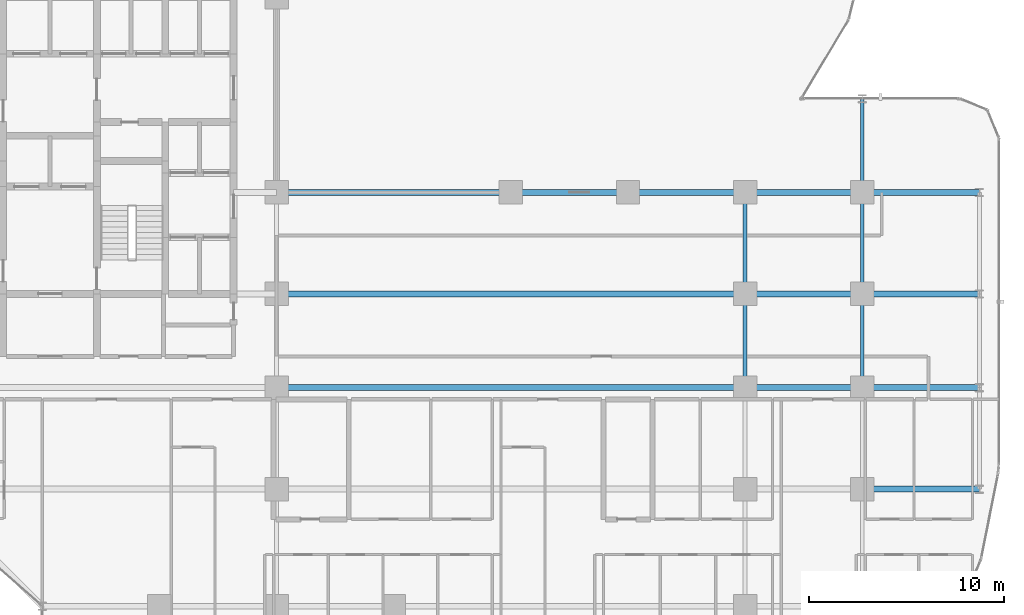
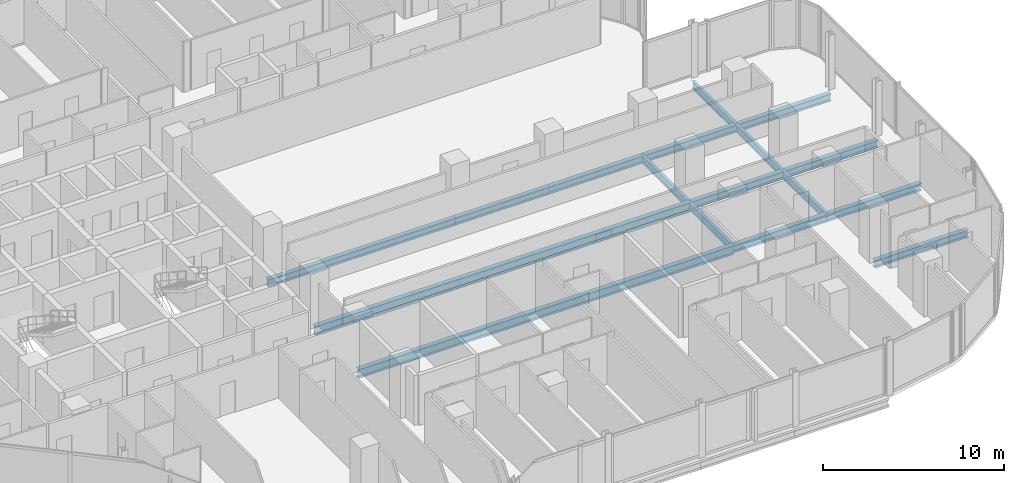
# One storey, part 11 of 34: 17 beams.
"""IFC4 building model written with IfcOpenShell, lengths in metres."""

import ifcopenshell
import ifcopenshell.guid

model = None  # the IFC model being written
_history = None  # IfcOwnerHistory: only IFC2X3 demands one
_inside = {}  # id of a spatial element -> (the spatial element, [elements in it])
_under = {}  # id of a project, library or spatial element -> (it, [spatial elements below it])
_declared = {}  # id of a project -> (the project, [libraries it declares])
_typed = {}  # id of a type object -> (the type object, [elements of that type])
_made_of = {}  # id of a material, layer set ... -> (it, [elements and type objects made of it])


def new_model(schema):
    """Start an empty IFC model of exactly this schema.

    Asked for "IFC4X3", IfcOpenShell would pick the latest addendum, in which some entities
    have other attributes; the version numbers below select the first issue.
    IFC2X3 requires an IfcOwnerHistory on every rooted entity: one is made here for all.
    """
    global model, _history
    if schema == "IFC4X3":
        model = ifcopenshell.file(schema_version=(4, 3, 0, 0))
    else:
        model = ifcopenshell.file(schema=schema)
    _inside.clear()
    _under.clear()
    _declared.clear()
    _typed.clear()
    _made_of.clear()
    _history = None
    if model.schema == "IFC2X3":
        org = make("IfcOrganization", Name="unknown")
        user = make(
            "IfcPersonAndOrganization",
            ThePerson=make("IfcPerson", FamilyName="unknown"),
            TheOrganization=org,
        )
        app = make(
            "IfcApplication",
            ApplicationDeveloper=org,
            Version="unknown",
            ApplicationFullName="unknown",
            ApplicationIdentifier="unknown",
        )
        _history = make(
            "IfcOwnerHistory",
            OwningUser=user,
            OwningApplication=app,
            ChangeAction="ADDED",
            CreationDate=0,
        )
    return model


def make(cls, **values):
    """One entity of the class cls with the attributes given. An attribute that is None is left unset."""
    return model.create_entity(
        cls, **{name: value for name, value in values.items() if value is not None}
    )


def rooted(cls, **values):
    """An entity with a GlobalId (a new one), such as an element, a storey or a relation."""
    return make(cls, GlobalId=ifcopenshell.guid.new(), OwnerHistory=_history, **values)


def si_unit(unit_type, name, prefix=None):
    """IfcSIUnit, for example si_unit("LENGTHUNIT", "METRE", prefix="MILLI")."""
    return make("IfcSIUnit", UnitType=unit_type, Prefix=prefix, Name=name)


def assignment(units):
    """IfcUnitAssignment: the units of a project."""
    return None if units is None else make("IfcUnitAssignment", Units=units)


def point(xyz):
    """IfcCartesianPoint."""
    return None if xyz is None else make("IfcCartesianPoint", Coordinates=xyz)


def direction(xyz):
    """IfcDirection."""
    return None if xyz is None else make("IfcDirection", DirectionRatios=xyz)


def frame(location, z_axis=None, x_axis=None):
    """IfcAxis2Placement3D, a coordinate frame: its origin and axes. An axis left out is left unset."""
    return make(
        "IfcAxis2Placement3D",
        Location=point(location),
        Axis=direction(z_axis),
        RefDirection=direction(x_axis),
    )


def frame_2d(location, x_axis=None):
    """IfcAxis2Placement2D, a coordinate frame in the plane: its origin and x axis."""
    return make(
        "IfcAxis2Placement2D", Location=point(location), RefDirection=direction(x_axis)
    )


def origin():
    """The frame at (0, 0, 0) with its axes left unset."""
    return frame((0.0, 0.0, 0.0))


def origin_2d():
    """The frame at (0, 0) in the plane with its x axis left unset."""
    return frame_2d((0.0, 0.0))


def place(relative_to, where):
    """IfcLocalPlacement: puts the frame where relative to a parent placement (None: the world)."""
    return make(
        "IfcLocalPlacement", PlacementRelTo=relative_to, RelativePlacement=where
    )


def context(
    kind, dimensions, precision=None, world=None, true_north=None, identifier=None
):
    """IfcGeometricRepresentationContext, for example the 3D "Model" context."""
    return make(
        "IfcGeometricRepresentationContext",
        ContextIdentifier=identifier,
        ContextType=kind,
        CoordinateSpaceDimension=dimensions,
        Precision=precision,
        WorldCoordinateSystem=world,
        TrueNorth=true_north,
    )


def subcontext(parent, identifier, kind, view, scale=None):
    """IfcGeometricRepresentationSubContext, for example "Body" below "Model"."""
    return make(
        "IfcGeometricRepresentationSubContext",
        ContextIdentifier=identifier,
        ContextType=kind,
        ParentContext=parent,
        TargetScale=scale,
        TargetView=view,
    )


def project(units=None, contexts=None):
    """IfcProject with its units and contexts."""
    return rooted(
        "IfcProject",
        Name="project",
        RepresentationContexts=contexts,
        UnitsInContext=assignment(units),
    )


def spatial(cls, under=None, at=None, **own):
    """A site, building, storey or space (cls), placed at a placement, below another one or the project."""
    s = rooted(cls, ObjectPlacement=at, **own)
    if under is not None:
        _under.setdefault(under.id(), (under, []))[1].append(s)
    return s


def profile(cls, at=None, kind="AREA", **sizes):
    """A parametric profile (cls). Its sizes go by their IFC names, for example OverallWidth=200.0."""
    return make(cls, ProfileType=kind, Position=at, **sizes)


def i_section(**sizes):
    """IfcIShapeProfileDef."""
    return profile("IfcIShapeProfileDef", **sizes)


def extrude(swept, where, along, depth):
    """IfcExtrudedAreaSolid: the profile swept, set in the frame where, extruded along a direction by depth."""
    return make(
        "IfcExtrudedAreaSolid",
        SweptArea=swept,
        Position=where,
        ExtrudedDirection=direction(along),
        Depth=depth,
    )


def shape(context_of_items, identifier, shape_type, items):
    """IfcShapeRepresentation: the items that make up one representation, for example the "Body"."""
    return make(
        "IfcShapeRepresentation",
        ContextOfItems=context_of_items,
        RepresentationIdentifier=identifier,
        RepresentationType=shape_type,
        Items=items,
    )


def material(Name=None, Category=None):
    """IfcMaterial."""
    return make("IfcMaterial", Name=Name, Category=Category)


def material_profile(
    of_material, cross_section, Name=None, Category=None, Priority=None
):
    """IfcMaterialProfile: a cross section and its material."""
    return make(
        "IfcMaterialProfile",
        Name=Name,
        Material=of_material,
        Profile=cross_section,
        Priority=Priority,
        Category=Category,
    )


def profile_set(profiles, Name=None, composite=None):
    """IfcMaterialProfileSet."""
    return make(
        "IfcMaterialProfileSet",
        Name=Name,
        MaterialProfiles=profiles,
        CompositeProfile=composite,
    )


def made_of(thing, what):
    """Note that an element or type object is made of a material, layer set ...; save() writes the relation."""
    if what is not None:
        _made_of.setdefault(what.id(), (what, []))[1].append(thing)
    return thing


def type_object(cls, material=None, **own):
    """A type object (cls), such as IfcWallType, which elements share."""
    return made_of(rooted(cls, **own), material)


def element(
    cls,
    number,
    at=None,
    inside=None,
    cuts=None,
    type_object=None,
    material=None,
    context=None,
    identifier="Body",
    shape_type=None,
    held_by="IfcProductDefinitionShape",
    body=None,
    shapes=None,
    **own,
):
    """One element of the class cls, such as IfcWall. Its Tag is "e" and its number.

    at: its placement. inside: the storey or other place that contains it. cuts: it is an
    opening in that element (IfcRelVoidsElement). A single representation is given by context,
    identifier, shape_type and body (its items); several are given by shapes. held_by: the class
    of the entity that holds the representations. save() writes the other relations.
    """
    e = rooted(cls, Tag="e%d" % number, ObjectPlacement=at, **own)
    if body is not None:
        shapes = [shape(context, identifier, shape_type, body)]
    if shapes is not None:
        e.Representation = make(held_by, Representations=shapes)
    if inside is not None:
        _inside.setdefault(inside.id(), (inside, []))[1].append(e)
    if cuts is not None:
        rooted(
            "IfcRelVoidsElement", RelatingBuildingElement=cuts, RelatedOpeningElement=e
        )
    if type_object is not None:
        _typed.setdefault(type_object.id(), (type_object, []))[1].append(e)
    return made_of(e, material)


def aggregate(whole, parts):
    """IfcRelAggregates: a whole, such as a stair, and the parts it consists of."""
    return rooted("IfcRelAggregates", RelatingObject=whole, RelatedObjects=parts)


def save(model, path):
    """Write the relations noted so far, then the file.

    IfcRelAggregates (storeys below a building ...), IfcRelContainedInSpatialStructure (elements
    in a storey), IfcRelDefinesByType, IfcRelAssociatesMaterial and IfcRelDeclares: one each for
    every whole, place, type object, material and project.
    """
    for whole, parts in _under.values():
        aggregate(whole, parts)
    for where, things in _inside.values():
        rooted(
            "IfcRelContainedInSpatialStructure",
            RelatedElements=things,
            RelatingStructure=where,
        )
    for kind, things in _typed.values():
        rooted("IfcRelDefinesByType", RelatedObjects=things, RelatingType=kind)
    for what, things in _made_of.values():
        rooted("IfcRelAssociatesMaterial", RelatedObjects=things, RelatingMaterial=what)
    for by, libraries in _declared.values():
        rooted("IfcRelDeclares", RelatingContext=by, RelatedDefinitions=libraries)
    model.write(path)


model = new_model("IFC4")

# Units and contexts
model_context = context("Model", 3, precision=1e-05, world=origin(), true_north=direction((0.0, 1.0)))
body_context = subcontext(model_context, "Body", "Model", "MODEL_VIEW")
ifc_project = project(units=[si_unit("LENGTHUNIT", "METRE"), si_unit("AREAUNIT", "SQUARE_METRE"), si_unit("VOLUMEUNIT", "CUBIC_METRE"), si_unit("PLANEANGLEUNIT", "RADIAN"), si_unit("MASSUNIT", "GRAM", prefix="KILO")], contexts=[model_context])

# Site, building, storey
site_placement = place(None, origin())
site = spatial("IfcSite", under=ifc_project, at=site_placement, CompositionType="ELEMENT")
building_placement = place(site_placement, origin())
building = spatial("IfcBuilding", under=site, at=building_placement, Name="Keshet Zoharim Tower", CompositionType="ELEMENT")
storey_placement = place(building_placement, frame((0.0, 0.0, 53.60009765625)))
storey = spatial("IfcBuildingStorey", under=building, at=storey_placement, Name="L12", CompositionType="ELEMENT", Elevation=53.60009765625)

# Beams
ifc_material = material(Name="Steel S355", Category="steel")
ifc_material_profile_1 = material_profile(ifc_material, i_section(OverallWidth=0.300048828125, OverallDepth=0.60009765625, WebThickness=0.015380859375, FlangeThickness=0.030029296875, FilletRadius=0.027099609375, at=origin_2d()), Name="HEB600")
ifc_profile_set_1 = profile_set([ifc_material_profile_1], Name="Steel S355")
beam_type_1 = type_object("IfcBeamType", Name="BM-LNG-HB600", PredefinedType="BEAM", material=ifc_profile_set_1)
for number, where, z_axis, x_axis, name in (
    (1, (33.0, 17.89990234375, -0.614990234375), (1.0, 0.0, 0.0), (0.0, 1.0, 0.0), "L12 Primary Girder X-017"),
    (2, (33.0, 22.699951171875, -0.614990234375), (1.0, 0.0, 0.0), (0.0, 1.0, 0.0), "L12 Primary Girder X-020"),
):
    element("IfcBeam", number, at=place(storey_placement, frame(where, z_axis=z_axis, x_axis=x_axis)), inside=storey, type_object=beam_type_1, Name=name, PredefinedType="BEAM", context=body_context, shape_type="SweptSolid", body=[
        extrude(i_section(OverallWidth=0.300048828125, OverallDepth=0.60009765625, WebThickness=0.015380859375, FlangeThickness=0.030029296875, FilletRadius=0.027099609375, at=origin_2d()), origin(), (0.0, 0.0, 1.0), 24.0),
    ])
ifc_material_profile_2 = material_profile(ifc_material, i_section(OverallWidth=0.300048828125, OverallDepth=0.5, WebThickness=0.014404296875, FlangeThickness=0.028076171875, FilletRadius=0.027099609375, at=origin_2d()), Name="HEB500")
ifc_profile_set_2 = profile_set([ifc_material_profile_2], Name="Steel S355")
beam_type_2 = type_object("IfcBeamType", Name="BM-MED-HB500", PredefinedType="BEAM", material=ifc_profile_set_2)
beam_1_placement = place(storey_placement, frame((33.0, 27.89990234375, -0.565185546875), z_axis=(1.0, 0.0, 0.0), x_axis=(0.0, 1.0, 0.0)))
element("IfcBeam", 3, at=beam_1_placement, inside=storey, type_object=beam_type_2, Name="L12 Primary Girder X-023", PredefinedType="BEAM", context=body_context, shape_type="SweptSolid", body=[
    extrude(i_section(OverallWidth=0.300048828125, OverallDepth=0.5, WebThickness=0.014404296875, FlangeThickness=0.028076171875, FilletRadius=0.027099609375, at=origin_2d()), origin(), (0.0, 0.0, 1.0), 12.0),
])
ifc_material_profile_3 = material_profile(ifc_material, i_section(OverallWidth=0.199951171875, OverallDepth=0.5, WebThickness=0.01025390625, FlangeThickness=0.01611328125, FilletRadius=0.02099609375, at=origin_2d()), Name="IPE500")
ifc_profile_set_3 = profile_set([ifc_material_profile_3], Name="Steel S355")
beam_type_3 = type_object("IfcBeamType", Name="BM-PRI-IP500", PredefinedType="BEAM", material=ifc_profile_set_3)
beam_2_placement = place(storey_placement, frame((57.0, 17.89990234375, -0.565185546875), z_axis=(0.0, 1.0, 0.0), x_axis=(-1.0, 0.0, 0.0)))
element("IfcBeam", 4, at=beam_2_placement, inside=storey, type_object=beam_type_3, Name="L12 Primary Girder Y-016", PredefinedType="BEAM", context=body_context, shape_type="SweptSolid", body=[
    extrude(i_section(OverallWidth=0.199951171875, OverallDepth=0.5, WebThickness=0.01025390625, FlangeThickness=0.01611328125, FilletRadius=0.02099609375, at=origin_2d()), origin(), (0.0, 0.0, 1.0), 4.800048828125),
])
beam_3_placement = place(storey_placement, frame((57.0, 22.699951171875, -0.565185546875), z_axis=(0.0, 1.0, 0.0), x_axis=(-1.0, 0.0, 0.0)))
element("IfcBeam", 5, at=beam_3_placement, inside=storey, type_object=beam_type_3, Name="L12 Primary Girder Y-017", PredefinedType="BEAM", context=body_context, shape_type="SweptSolid", body=[
    extrude(i_section(OverallWidth=0.199951171875, OverallDepth=0.5, WebThickness=0.01025390625, FlangeThickness=0.01611328125, FilletRadius=0.02099609375, at=origin_2d()), origin(), (0.0, 0.0, 1.0), 5.199951171875),
])
beam_4_placement = place(storey_placement, frame((63.0, 17.89990234375, -0.565185546875), z_axis=(0.0, 1.0, 0.0), x_axis=(-1.0, 0.0, 0.0)))
element("IfcBeam", 6, at=beam_4_placement, inside=storey, type_object=beam_type_3, Name="L12 Primary Girder Y-020", PredefinedType="BEAM", context=body_context, shape_type="SweptSolid", body=[
    extrude(i_section(OverallWidth=0.199951171875, OverallDepth=0.5, WebThickness=0.01025390625, FlangeThickness=0.01611328125, FilletRadius=0.02099609375, at=origin_2d()), origin(), (0.0, 0.0, 1.0), 4.800048828125),
])
beam_5_placement = place(storey_placement, frame((63.0, 22.699951171875, -0.565185546875), z_axis=(0.0, 1.0, 0.0), x_axis=(-1.0, 0.0, 0.0)))
element("IfcBeam", 7, at=beam_5_placement, inside=storey, type_object=beam_type_3, Name="L12 Primary Girder Y-021", PredefinedType="BEAM", context=body_context, shape_type="SweptSolid", body=[
    extrude(i_section(OverallWidth=0.199951171875, OverallDepth=0.5, WebThickness=0.01025390625, FlangeThickness=0.01611328125, FilletRadius=0.02099609375, at=origin_2d()), origin(), (0.0, 0.0, 1.0), 5.199951171875),
])
beam_6_placement = place(storey_placement, frame((63.0, 27.89990234375, -0.565185546875), z_axis=(0.0, 1.0, 0.0), x_axis=(-1.0, 0.0, 0.0)))
element("IfcBeam", 8, at=beam_6_placement, inside=storey, type_object=beam_type_3, Name="L12 Primary Girder Y-022", PredefinedType="BEAM", context=body_context, shape_type="SweptSolid", body=[
    extrude(i_section(OverallWidth=0.199951171875, OverallDepth=0.5, WebThickness=0.01025390625, FlangeThickness=0.01611328125, FilletRadius=0.02099609375, at=origin_2d()), origin(), (0.0, 0.0, 1.0), 4.800048828125),
])
ifc_material_profile_4 = material_profile(ifc_material, i_section(OverallWidth=0.300048828125, OverallDepth=0.5, WebThickness=0.014404296875, FlangeThickness=0.028076171875, FilletRadius=0.027099609375, at=origin_2d()), Name="HEB500")
ifc_profile_set_4 = profile_set([ifc_material_profile_4], Name="Steel S355")
beam_type_4 = type_object("IfcBeamType", Name="BM-WEB-HB500", PredefinedType="BEAM", material=ifc_profile_set_4)
for number, where, z_axis, x_axis, name in (
    (9, (63.0, 12.699951171875, -0.565185546875), (1.0, 0.0, 0.0), (0.0, 1.0, 0.0), "L12 Primary Girder X-014"),
    (10, (57.0, 17.89990234375, -0.565185546875), (1.0, 0.0, 0.0), (0.0, 1.0, 0.0), "L12 Primary Girder X-018"),
    (11, (63.0, 17.89990234375, -0.565185546875), (1.0, 0.0, 0.0), (0.0, 1.0, 0.0), "L12 Primary Girder X-019"),
    (12, (57.0, 22.699951171875, -0.565185546875), (1.0, 0.0, 0.0), (0.0, 1.0, 0.0), "L12 Primary Girder X-021"),
    (13, (63.0, 22.699951171875, -0.565185546875), (1.0, 0.0, 0.0), (0.0, 1.0, 0.0), "L12 Primary Girder X-022"),
    (14, (45.0, 27.89990234375, -0.565185546875), (1.0, 0.0, 0.0), (0.0, 1.0, 0.0), "L12 Primary Girder X-024"),
    (15, (51.0, 27.89990234375, -0.565185546875), (1.0, 0.0, 0.0), (0.0, 1.0, 0.0), "L12 Primary Girder X-025"),
    (16, (57.0, 27.89990234375, -0.565185546875), (1.0, 0.0, 0.0), (0.0, 1.0, 0.0), "L12 Primary Girder X-026"),
    (17, (63.0, 27.89990234375, -0.565185546875), (1.0, 0.0, 0.0), (0.0, 1.0, 0.0), "L12 Primary Girder X-027"),
):
    element("IfcBeam", number, at=place(storey_placement, frame(where, z_axis=z_axis, x_axis=x_axis)), inside=storey, type_object=beam_type_4, Name=name, PredefinedType="BEAM", context=body_context, shape_type="SweptSolid", body=[
        extrude(i_section(OverallWidth=0.300048828125, OverallDepth=0.5, WebThickness=0.014404296875, FlangeThickness=0.028076171875, FilletRadius=0.027099609375, at=origin_2d()), origin(), (0.0, 0.0, 1.0), 6.0),
    ])

save(model, "model.ifc")
